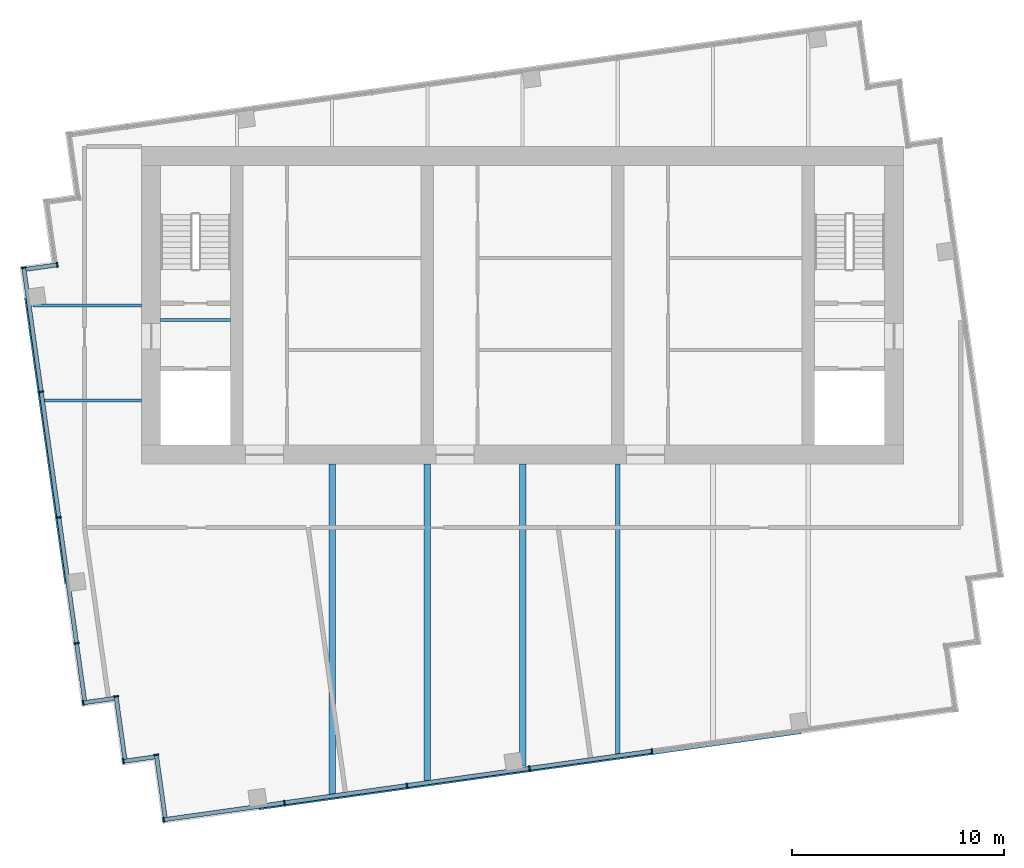
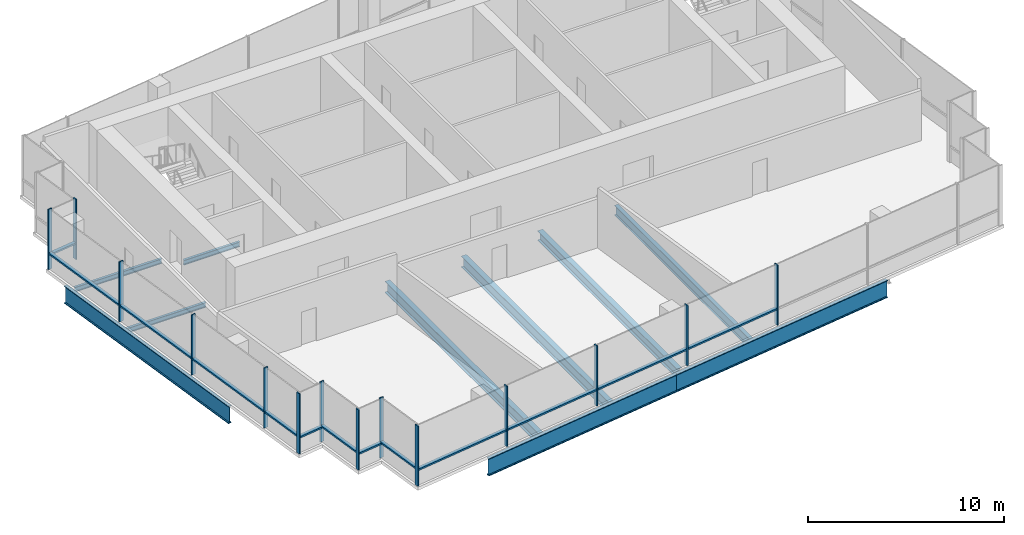
# One storey, part 2 of 9: 27 members, 10 beams, 7 elements without a shape of their own.
"""IFC4 building model written with IfcOpenShell, lengths in metres."""

import ifcopenshell
import ifcopenshell.guid

model = None  # the IFC model being written
_history = None  # IfcOwnerHistory: only IFC2X3 demands one
_inside = {}  # id of a spatial element -> (the spatial element, [elements in it])
_under = {}  # id of a project, library or spatial element -> (it, [spatial elements below it])
_declared = {}  # id of a project -> (the project, [libraries it declares])
_typed = {}  # id of a type object -> (the type object, [elements of that type])
_made_of = {}  # id of a material, layer set ... -> (it, [elements and type objects made of it])


def new_model(schema):
    """Start an empty IFC model of exactly this schema.

    Asked for "IFC4X3", IfcOpenShell would pick the latest addendum, in which some entities
    have other attributes; the version numbers below select the first issue.
    IFC2X3 requires an IfcOwnerHistory on every rooted entity: one is made here for all.
    """
    global model, _history
    if schema == "IFC4X3":
        model = ifcopenshell.file(schema_version=(4, 3, 0, 0))
    else:
        model = ifcopenshell.file(schema=schema)
    _inside.clear()
    _under.clear()
    _declared.clear()
    _typed.clear()
    _made_of.clear()
    _history = None
    if model.schema == "IFC2X3":
        org = make("IfcOrganization", Name="unknown")
        user = make(
            "IfcPersonAndOrganization",
            ThePerson=make("IfcPerson", FamilyName="unknown"),
            TheOrganization=org,
        )
        app = make(
            "IfcApplication",
            ApplicationDeveloper=org,
            Version="unknown",
            ApplicationFullName="unknown",
            ApplicationIdentifier="unknown",
        )
        _history = make(
            "IfcOwnerHistory",
            OwningUser=user,
            OwningApplication=app,
            ChangeAction="ADDED",
            CreationDate=0,
        )
    return model


def make(cls, **values):
    """One entity of the class cls with the attributes given. An attribute that is None is left unset."""
    return model.create_entity(
        cls, **{name: value for name, value in values.items() if value is not None}
    )


def rooted(cls, **values):
    """An entity with a GlobalId (a new one), such as an element, a storey or a relation."""
    return make(cls, GlobalId=ifcopenshell.guid.new(), OwnerHistory=_history, **values)


def si_unit(unit_type, name, prefix=None):
    """IfcSIUnit, for example si_unit("LENGTHUNIT", "METRE", prefix="MILLI")."""
    return make("IfcSIUnit", UnitType=unit_type, Prefix=prefix, Name=name)


def assignment(units):
    """IfcUnitAssignment: the units of a project."""
    return None if units is None else make("IfcUnitAssignment", Units=units)


def point(xyz):
    """IfcCartesianPoint."""
    return None if xyz is None else make("IfcCartesianPoint", Coordinates=xyz)


def direction(xyz):
    """IfcDirection."""
    return None if xyz is None else make("IfcDirection", DirectionRatios=xyz)


def frame(location, z_axis=None, x_axis=None):
    """IfcAxis2Placement3D, a coordinate frame: its origin and axes. An axis left out is left unset."""
    return make(
        "IfcAxis2Placement3D",
        Location=point(location),
        Axis=direction(z_axis),
        RefDirection=direction(x_axis),
    )


def frame_2d(location, x_axis=None):
    """IfcAxis2Placement2D, a coordinate frame in the plane: its origin and x axis."""
    return make(
        "IfcAxis2Placement2D", Location=point(location), RefDirection=direction(x_axis)
    )


def origin():
    """The frame at (0, 0, 0) with its axes left unset."""
    return frame((0.0, 0.0, 0.0))


def origin_2d():
    """The frame at (0, 0) in the plane with its x axis left unset."""
    return frame_2d((0.0, 0.0))


def place(relative_to, where):
    """IfcLocalPlacement: puts the frame where relative to a parent placement (None: the world)."""
    return make(
        "IfcLocalPlacement", PlacementRelTo=relative_to, RelativePlacement=where
    )


def context(
    kind, dimensions, precision=None, world=None, true_north=None, identifier=None
):
    """IfcGeometricRepresentationContext, for example the 3D "Model" context."""
    return make(
        "IfcGeometricRepresentationContext",
        ContextIdentifier=identifier,
        ContextType=kind,
        CoordinateSpaceDimension=dimensions,
        Precision=precision,
        WorldCoordinateSystem=world,
        TrueNorth=true_north,
    )


def subcontext(parent, identifier, kind, view, scale=None):
    """IfcGeometricRepresentationSubContext, for example "Body" below "Model"."""
    return make(
        "IfcGeometricRepresentationSubContext",
        ContextIdentifier=identifier,
        ContextType=kind,
        ParentContext=parent,
        TargetScale=scale,
        TargetView=view,
    )


def project(units=None, contexts=None):
    """IfcProject with its units and contexts."""
    return rooted(
        "IfcProject",
        Name="project",
        RepresentationContexts=contexts,
        UnitsInContext=assignment(units),
    )


def spatial(cls, under=None, at=None, **own):
    """A site, building, storey or space (cls), placed at a placement, below another one or the project."""
    s = rooted(cls, ObjectPlacement=at, **own)
    if under is not None:
        _under.setdefault(under.id(), (under, []))[1].append(s)
    return s


def profile(cls, at=None, kind="AREA", **sizes):
    """A parametric profile (cls). Its sizes go by their IFC names, for example OverallWidth=200.0."""
    return make(cls, ProfileType=kind, Position=at, **sizes)


def rectangle(**sizes):
    """IfcRectangleProfileDef."""
    return profile("IfcRectangleProfileDef", **sizes)


def i_section(**sizes):
    """IfcIShapeProfileDef."""
    return profile("IfcIShapeProfileDef", **sizes)


def extrude(swept, where, along, depth):
    """IfcExtrudedAreaSolid: the profile swept, set in the frame where, extruded along a direction by depth."""
    return make(
        "IfcExtrudedAreaSolid",
        SweptArea=swept,
        Position=where,
        ExtrudedDirection=direction(along),
        Depth=depth,
    )


def shape(context_of_items, identifier, shape_type, items):
    """IfcShapeRepresentation: the items that make up one representation, for example the "Body"."""
    return make(
        "IfcShapeRepresentation",
        ContextOfItems=context_of_items,
        RepresentationIdentifier=identifier,
        RepresentationType=shape_type,
        Items=items,
    )


def material(Name=None, Category=None):
    """IfcMaterial."""
    return make("IfcMaterial", Name=Name, Category=Category)


def layer(
    of_material, thickness, ventilated=None, Name=None, Category=None, Priority=None
):
    """IfcMaterialLayer: one layer of a wall or slab, of a material (None: an air gap)."""
    return make(
        "IfcMaterialLayer",
        Material=of_material,
        LayerThickness=thickness,
        IsVentilated=ventilated,
        Name=Name,
        Category=Category,
        Priority=Priority,
    )


def layer_set(layers, Name=None):
    """IfcMaterialLayerSet."""
    return make("IfcMaterialLayerSet", MaterialLayers=layers, LayerSetName=Name)


def material_profile(
    of_material, cross_section, Name=None, Category=None, Priority=None
):
    """IfcMaterialProfile: a cross section and its material."""
    return make(
        "IfcMaterialProfile",
        Name=Name,
        Material=of_material,
        Profile=cross_section,
        Priority=Priority,
        Category=Category,
    )


def profile_set(profiles, Name=None, composite=None):
    """IfcMaterialProfileSet."""
    return make(
        "IfcMaterialProfileSet",
        Name=Name,
        MaterialProfiles=profiles,
        CompositeProfile=composite,
    )


def made_of(thing, what):
    """Note that an element or type object is made of a material, layer set ...; save() writes the relation."""
    if what is not None:
        _made_of.setdefault(what.id(), (what, []))[1].append(thing)
    return thing


def type_object(cls, material=None, **own):
    """A type object (cls), such as IfcWallType, which elements share."""
    return made_of(rooted(cls, **own), material)


def element(
    cls,
    number,
    at=None,
    inside=None,
    cuts=None,
    type_object=None,
    material=None,
    context=None,
    identifier="Body",
    shape_type=None,
    held_by="IfcProductDefinitionShape",
    body=None,
    shapes=None,
    **own,
):
    """One element of the class cls, such as IfcWall. Its Tag is "e" and its number.

    at: its placement. inside: the storey or other place that contains it. cuts: it is an
    opening in that element (IfcRelVoidsElement). A single representation is given by context,
    identifier, shape_type and body (its items); several are given by shapes. held_by: the class
    of the entity that holds the representations. save() writes the other relations.
    """
    e = rooted(cls, Tag="e%d" % number, ObjectPlacement=at, **own)
    if body is not None:
        shapes = [shape(context, identifier, shape_type, body)]
    if shapes is not None:
        e.Representation = make(held_by, Representations=shapes)
    if inside is not None:
        _inside.setdefault(inside.id(), (inside, []))[1].append(e)
    if cuts is not None:
        rooted(
            "IfcRelVoidsElement", RelatingBuildingElement=cuts, RelatedOpeningElement=e
        )
    if type_object is not None:
        _typed.setdefault(type_object.id(), (type_object, []))[1].append(e)
    return made_of(e, material)


def aggregate(whole, parts):
    """IfcRelAggregates: a whole, such as a stair, and the parts it consists of."""
    return rooted("IfcRelAggregates", RelatingObject=whole, RelatedObjects=parts)


def save(model, path):
    """Write the relations noted so far, then the file.

    IfcRelAggregates (storeys below a building ...), IfcRelContainedInSpatialStructure (elements
    in a storey), IfcRelDefinesByType, IfcRelAssociatesMaterial and IfcRelDeclares: one each for
    every whole, place, type object, material and project.
    """
    for whole, parts in _under.values():
        aggregate(whole, parts)
    for where, things in _inside.values():
        rooted(
            "IfcRelContainedInSpatialStructure",
            RelatedElements=things,
            RelatingStructure=where,
        )
    for kind, things in _typed.values():
        rooted("IfcRelDefinesByType", RelatedObjects=things, RelatingType=kind)
    for what, things in _made_of.values():
        rooted("IfcRelAssociatesMaterial", RelatedObjects=things, RelatingMaterial=what)
    for by, libraries in _declared.values():
        rooted("IfcRelDeclares", RelatingContext=by, RelatedDefinitions=libraries)
    model.write(path)


model = new_model("IFC4")

# Units and contexts
model_context = context("Model", 3, precision=1e-05, world=origin(), true_north=direction((0.0, 1.0)))
body_context = subcontext(model_context, "Body", "Model", "MODEL_VIEW")
ifc_project = project(units=[si_unit("LENGTHUNIT", "METRE"), si_unit("AREAUNIT", "SQUARE_METRE"), si_unit("VOLUMEUNIT", "CUBIC_METRE"), si_unit("PLANEANGLEUNIT", "RADIAN"), si_unit("MASSUNIT", "GRAM", prefix="KILO")], contexts=[model_context])

# Site, building, storey
site_placement = place(None, origin())
site = spatial("IfcSite", under=ifc_project, at=site_placement, CompositionType="ELEMENT")
building_placement = place(site_placement, origin())
building = spatial("IfcBuilding", under=site, at=building_placement, Name="Rattan Terrace Tower", CompositionType="ELEMENT")
storey_placement = place(building_placement, frame((0.0, 0.0, 312.300048828125)))
storey = spatial("IfcBuildingStorey", under=building, at=storey_placement, Name="C06", CompositionType="ELEMENT", Elevation=312.300048828125)

# Beams
ifc_material_1 = material(Name="Steel S460", Category="steel")
ifc_material_profile_1 = material_profile(ifc_material_1, i_section(OverallWidth=0.179931640625, OverallDepth=1.10009765625, WebThickness=0.01611328125, FlangeThickness=0.050048828125, at=origin_2d()), Name="PG 1100x180-16-50")
ifc_profile_set_1 = profile_set([ifc_material_profile_1], Name="Steel S460")
beam_type_1 = type_object("IfcBeamType", Name="Frame edge girder PG 1100x180-16-50", PredefinedType="SPANDREL", material=ifc_profile_set_1)
beam_1_placement = place(storey_placement, frame((-12.45703125, -23.7509765625, -0.75), z_axis=(0.990268332234, 0.139171226104, 0.0), x_axis=(-0.139171226104, 0.990268332234, 0.0)))
element("IfcBeam", 1, at=beam_1_placement, inside=storey, type_object=beam_type_1, Name="gdr-C06-001", PredefinedType="SPANDREL", context=body_context, shape_type="SweptSolid", body=[
    extrude(i_section(OverallWidth=0.179931640625, OverallDepth=1.10009765625, WebThickness=0.01611328125, FlangeThickness=0.050048828125, at=origin_2d()), origin(), (0.0, 0.0, 1.0), 12.21484375),
])
beam_2_placement = place(storey_placement, frame((-0.361083984375, -22.051025390625, -0.75), z_axis=(0.990271390556, 0.139149462974, 0.0), x_axis=(-0.139149462974, 0.990271390556, 0.0)))
element("IfcBeam", 2, at=beam_2_placement, inside=storey, type_object=beam_type_1, Name="gdr-C06-002", PredefinedType="SPANDREL", context=body_context, shape_type="SweptSolid", body=[
    extrude(i_section(OverallWidth=0.179931640625, OverallDepth=1.10009765625, WebThickness=0.01611328125, FlangeThickness=0.050048828125, at=origin_2d()), origin(), (0.0, 0.0, 1.0), 13.632568359375),
])
beam_3_placement = place(storey_placement, frame((-23.448974609375, 0.361083984375, -0.75), z_axis=(0.139219709116, -0.990261517274, 0.0), x_axis=(0.990261517274, 0.139219709116, 0.0)))
element("IfcBeam", 3, at=beam_3_placement, inside=storey, type_object=beam_type_1, Name="gdr-C06-003", PredefinedType="SPANDREL", context=body_context, shape_type="SweptSolid", body=[
    extrude(i_section(OverallWidth=0.179931640625, OverallDepth=1.10009765625, WebThickness=0.01611328125, FlangeThickness=0.050048828125, at=origin_2d()), origin(), (0.0, 0.0, 1.0), 13.6328125),
])
ifc_material_2 = material(Name="Steel S355", Category="steel")
ifc_material_profile_2 = material_profile(ifc_material_2, i_section(OverallWidth=0.300048828125, OverallDepth=0.60009765625, WebThickness=0.015380859375, FlangeThickness=0.030029296875, FilletRadius=0.027099609375, at=origin_2d()), Name="HE 600 B")
ifc_profile_set_2 = profile_set([ifc_material_profile_2], Name="Steel S355")
beam_type_2 = type_object("IfcBeamType", Name="Frame floor beam HE 600 B", PredefinedType="JOIST", material=ifc_profile_set_2)
beam_4_placement = place(storey_placement, frame((0.0, -21.743896484375, -0.5), z_axis=(0.0, 1.0, 0.0), x_axis=(-1.0, 0.0, 0.0)))
element("IfcBeam", 4, at=beam_4_placement, inside=storey, type_object=beam_type_2, Name="bm-C06-005", PredefinedType="JOIST", context=body_context, shape_type="SweptSolid", body=[
    extrude(i_section(OverallWidth=0.300048828125, OverallDepth=0.60009765625, WebThickness=0.015380859375, FlangeThickness=0.030029296875, FilletRadius=0.027099609375, at=origin_2d()), origin(), (0.0, 0.0, 1.0), 14.243896484375),
])
ifc_material_3 = material(Name="Steel S355", Category="steel")
ifc_material_profile_3 = material_profile(ifc_material_3, i_section(OverallWidth=0.300048828125, OverallDepth=0.699951171875, WebThickness=0.01708984375, FlangeThickness=0.031982421875, FilletRadius=0.027099609375, at=origin_2d()), Name="HE 700 B")
ifc_profile_set_3 = profile_set([ifc_material_profile_3], Name="Steel S355")
beam_type_3 = type_object("IfcBeamType", Name="Frame floor beam HE 700 B", PredefinedType="JOIST", material=ifc_profile_set_3)
beam_5_placement = place(storey_placement, frame((-9.0, -23.174072265625, -0.550048828125), z_axis=(0.0, 1.0, 0.0), x_axis=(-1.0, 0.0, 0.0)))
element("IfcBeam", 5, at=beam_5_placement, inside=storey, type_object=beam_type_3, Name="bm-C06-003", PredefinedType="JOIST", context=body_context, shape_type="SweptSolid", body=[
    extrude(i_section(OverallWidth=0.300048828125, OverallDepth=0.699951171875, WebThickness=0.01708984375, FlangeThickness=0.031982421875, FilletRadius=0.027099609375, at=origin_2d()), origin(), (0.0, 0.0, 1.0), 15.674072265625),
])
beam_6_placement = place(storey_placement, frame((-4.5, -22.5419921875, -0.550048828125), z_axis=(0.0, 1.0, 0.0), x_axis=(-1.0, 0.0, 0.0)))
element("IfcBeam", 6, at=beam_6_placement, inside=storey, type_object=beam_type_3, Name="bm-C06-004", PredefinedType="JOIST", context=body_context, shape_type="SweptSolid", body=[
    extrude(i_section(OverallWidth=0.300048828125, OverallDepth=0.699951171875, WebThickness=0.01708984375, FlangeThickness=0.031982421875, FilletRadius=0.027099609375, at=origin_2d()), origin(), (0.0, 0.0, 1.0), 15.0419921875),
])
ifc_material_4 = material(Name="Steel S355", Category="steel")
ifc_material_profile_4 = material_profile(ifc_material_4, i_section(OverallWidth=0.14990234375, OverallDepth=0.300048828125, WebThickness=0.007080078125, FlangeThickness=0.0107421875, FilletRadius=0.014892578125, at=origin_2d()), Name="IPE 300")
ifc_profile_set_4 = profile_set([ifc_material_profile_4], Name="Steel S355")
beam_type_4 = type_object("IfcBeamType", Name="Frame floor beam IPE 300", PredefinedType="JOIST", material=ifc_profile_set_4)
beam_7_placement = place(storey_placement, frame((-17.10009765625, -0.695068359375, -0.35009765625), z_axis=(1.0, 0.0, 0.0), x_axis=(0.0, 1.0, 0.0)))
element("IfcBeam", 7, at=beam_7_placement, inside=storey, type_object=beam_type_4, Name="bm-C06-001", PredefinedType="JOIST", context=body_context, shape_type="SweptSolid", body=[
    extrude(i_section(OverallWidth=0.14990234375, OverallDepth=0.300048828125, WebThickness=0.007080078125, FlangeThickness=0.0107421875, FilletRadius=0.014892578125, at=origin_2d()), origin(), (0.0, 0.0, 1.0), 3.300048828125),
])
beam_8_placement = place(storey_placement, frame((-22.675048828125, -4.5, -0.35009765625), z_axis=(1.0, 0.0, 0.0), x_axis=(0.0, 1.0, 0.0)))
element("IfcBeam", 8, at=beam_8_placement, inside=storey, type_object=beam_type_4, Name="bm-C06-009", PredefinedType="JOIST", context=body_context, shape_type="SweptSolid", body=[
    extrude(i_section(OverallWidth=0.14990234375, OverallDepth=0.300048828125, WebThickness=0.007080078125, FlangeThickness=0.0107421875, FilletRadius=0.014892578125, at=origin_2d()), origin(), (0.0, 0.0, 1.0), 4.675048828125),
])
beam_9_placement = place(storey_placement, frame((-23.14111328125, 0.0, -0.35009765625), z_axis=(1.0, 0.0, 0.0), x_axis=(0.0, 1.0, 0.0)))
element("IfcBeam", 9, at=beam_9_placement, inside=storey, type_object=beam_type_4, Name="bm-C06-010", PredefinedType="JOIST", context=body_context, shape_type="SweptSolid", body=[
    extrude(i_section(OverallWidth=0.14990234375, OverallDepth=0.300048828125, WebThickness=0.007080078125, FlangeThickness=0.0107421875, FilletRadius=0.014892578125, at=origin_2d()), origin(), (0.0, 0.0, 1.0), 5.14111328125),
])
ifc_material_5 = material(Name="Steel S355", Category="steel")
ifc_material_profile_5 = material_profile(ifc_material_5, i_section(OverallWidth=0.22412109375, OverallDepth=0.610107421875, WebThickness=0.014892578125, FlangeThickness=0.02392578125, FilletRadius=0.02392578125, at=origin_2d()), Name="IPE O 600")
ifc_profile_set_5 = profile_set([ifc_material_profile_5], Name="Steel S355")
beam_type_5 = type_object("IfcBeamType", Name="Frame floor beam IPE O 600", PredefinedType="JOIST", material=ifc_profile_set_5)
beam_10_placement = place(storey_placement, frame((4.5, -21.277099609375, -0.505126953125), z_axis=(0.0, 1.0, 0.0), x_axis=(-1.0, 0.0, 0.0)))
element("IfcBeam", 10, at=beam_10_placement, inside=storey, type_object=beam_type_5, Name="bm-C06-006", PredefinedType="JOIST", context=body_context, shape_type="SweptSolid", body=[
    extrude(i_section(OverallWidth=0.22412109375, OverallDepth=0.610107421875, WebThickness=0.014892578125, FlangeThickness=0.02392578125, FilletRadius=0.02392578125, at=origin_2d()), origin(), (0.0, 0.0, 1.0), 13.777099609375),
])

# Curtain wall, members
ifc_material_6 = material(Name="Aluminium and laminated glass", Category="aluminium")
ifc_layer = layer(ifc_material_6, 0.239990234375)
ifc_layer_set = layer_set([ifc_layer], Name="Lantern Stick Curtain Wall")
curtain_wall_type = type_object("IfcCurtainWallType", Name="Lantern Stick Curtain Wall", PredefinedType="NOTDEFINED", material=ifc_layer_set)
curtain_wall_1_placement = place(storey_placement, origin())
curtain_wall_1 = element("IfcCurtainWall", 11, at=curtain_wall_1_placement, inside=storey, type_object=curtain_wall_type, Name="Lantern curtain wall C06-1", PredefinedType="NOTDEFINED")
ifc_material_7 = material(Name="Aluminium", Category="aluminium")
ifc_material_profile_6 = material_profile(ifc_material_7, rectangle(XDim=0.070068359375, YDim=0.239990234375, at=origin_2d()), Name="Aluminium 70x240")
ifc_profile_set_6 = profile_set([ifc_material_profile_6], Name="Aluminium")
member_type_1 = type_object("IfcMemberType", Name="Lantern CW Mullion 70x240", PredefinedType="MULLION", material=ifc_profile_set_6)
member_1_placement = place(storey_placement, frame((-23.56689453125, 1.776611328125, 0.0), z_axis=(0.0, 0.0, 1.0), x_axis=(0.139187707455, -0.990266015823, 0.0)))
member_1 = element("IfcMember", 12, at=member_1_placement, type_object=member_type_1, Name="Mullion cwl-C06-001.1", PredefinedType="MULLION", context=body_context, shape_type="SweptSolid", body=[
    extrude(rectangle(XDim=0.070068359375, YDim=0.239990234375, at=origin_2d()), origin(), (0.0, 0.0, 1.0), 3.75),
])
member_2_placement = place(storey_placement, frame((-22.74365234375, -4.080810546875, 0.0), z_axis=(0.0, 0.0, 1.0), x_axis=(0.139187707455, -0.990266015823, 0.0)))
member_2 = element("IfcMember", 13, at=member_2_placement, type_object=member_type_1, Name="Mullion cwl-C06-001.2", PredefinedType="MULLION", context=body_context, shape_type="SweptSolid", body=[
    extrude(rectangle(XDim=0.070068359375, YDim=0.239990234375, at=origin_2d()), origin(), (0.0, 0.0, 1.0), 3.75),
])
member_3_placement = place(storey_placement, frame((-21.908447265625, -10.0224609375, 0.0), z_axis=(0.0, 0.0, 1.0), x_axis=(0.139187707455, -0.990266015823, 0.0)))
member_3 = element("IfcMember", 14, at=member_3_placement, type_object=member_type_1, Name="Mullion cwl-C06-001.3", PredefinedType="MULLION", context=body_context, shape_type="SweptSolid", body=[
    extrude(rectangle(XDim=0.070068359375, YDim=0.239990234375, at=origin_2d()), origin(), (0.0, 0.0, 1.0), 3.75),
])
member_4_placement = place(storey_placement, frame((-21.0732421875, -15.964111328125, 0.0), z_axis=(0.0, 0.0, 1.0), x_axis=(0.139187707455, -0.990266015823, 0.0)))
member_4 = element("IfcMember", 15, at=member_4_placement, type_object=member_type_1, Name="Mullion cwl-C06-001.4", PredefinedType="MULLION", context=body_context, shape_type="SweptSolid", body=[
    extrude(rectangle(XDim=0.070068359375, YDim=0.239990234375, at=origin_2d()), origin(), (0.0, 0.0, 1.0), 3.75),
])

# Curtain wall, member
curtain_wall_2_placement = place(storey_placement, origin())
curtain_wall_2 = element("IfcCurtainWall", 16, at=curtain_wall_2_placement, inside=storey, type_object=curtain_wall_type, Name="Lantern curtain wall C06-2", PredefinedType="NOTDEFINED")
member_5_placement = place(storey_placement, frame((-20.763427734375, -18.77880859375, 0.0), z_axis=(0.0, 0.0, 1.0), x_axis=(0.990227803001, 0.139459306479, 0.0)))
member_5 = element("IfcMember", 17, at=member_5_placement, type_object=member_type_1, Name="Mullion cwl-C06-002.1", PredefinedType="MULLION", context=body_context, shape_type="SweptSolid", body=[
    extrude(rectangle(XDim=0.070068359375, YDim=0.239990234375, at=origin_2d()), origin(), (0.0, 0.0, 1.0), 3.75),
])

curtain_wall_3_placement = place(storey_placement, origin())
curtain_wall_3 = element("IfcCurtainWall", 18, at=curtain_wall_3_placement, inside=storey, type_object=curtain_wall_type, Name="Lantern curtain wall C06-3", PredefinedType="NOTDEFINED")
member_6_placement = place(storey_placement, frame((-19.207275390625, -18.473876953125, 0.0), z_axis=(0.0, 0.0, 1.0), x_axis=(0.139555918709, -0.990214191755, 0.0)))
member_6 = element("IfcMember", 19, at=member_6_placement, type_object=member_type_1, Name="Mullion cwl-C06-003.1", PredefinedType="MULLION", context=body_context, shape_type="SweptSolid", body=[
    extrude(rectangle(XDim=0.070068359375, YDim=0.239990234375, at=origin_2d()), origin(), (0.0, 0.0, 1.0), 3.75),
])

curtain_wall_4_placement = place(storey_placement, origin())
curtain_wall_4 = element("IfcCurtainWall", 20, at=curtain_wall_4_placement, inside=storey, type_object=curtain_wall_type, Name="Lantern curtain wall C06-4", PredefinedType="NOTDEFINED")
member_7_placement = place(storey_placement, frame((-18.860595703125, -21.54296875, 0.0), z_axis=(0.0, 0.0, 1.0), x_axis=(0.990319742912, 0.13880492354, 0.0)))
member_7 = element("IfcMember", 21, at=member_7_placement, type_object=member_type_1, Name="Mullion cwl-C06-004.1", PredefinedType="MULLION", context=body_context, shape_type="SweptSolid", body=[
    extrude(rectangle(XDim=0.070068359375, YDim=0.239990234375, at=origin_2d()), origin(), (0.0, 0.0, 1.0), 3.75),
])

curtain_wall_5_placement = place(storey_placement, origin())
curtain_wall_5 = element("IfcCurtainWall", 22, at=curtain_wall_5_placement, inside=storey, type_object=curtain_wall_type, Name="Lantern curtain wall C06-5", PredefinedType="NOTDEFINED")
member_8_placement = place(storey_placement, frame((-17.30419921875, -21.239013671875, 0.0), z_axis=(0.0, 0.0, 1.0), x_axis=(0.139413247769, -0.990234288614, 0.0)))
member_8 = element("IfcMember", 23, at=member_8_placement, type_object=member_type_1, Name="Mullion cwl-C06-005.1", PredefinedType="MULLION", context=body_context, shape_type="SweptSolid", body=[
    extrude(rectangle(XDim=0.070068359375, YDim=0.239990234375, at=origin_2d()), origin(), (0.0, 0.0, 1.0), 3.75),
])

# Curtain wall, members
curtain_wall_6_placement = place(storey_placement, origin())
curtain_wall_6 = element("IfcCurtainWall", 24, at=curtain_wall_6_placement, inside=storey, type_object=curtain_wall_type, Name="Lantern curtain wall C06-6", PredefinedType="NOTDEFINED")
member_9_placement = place(storey_placement, frame((-16.95849609375, -24.3037109375, 0.0), z_axis=(0.0, 0.0, 1.0), x_axis=(0.990266952226, 0.13918104515, 0.0)))
member_9 = element("IfcMember", 25, at=member_9_placement, type_object=member_type_1, Name="Mullion cwl-C06-006.1", PredefinedType="MULLION", context=body_context, shape_type="SweptSolid", body=[
    extrude(rectangle(XDim=0.070068359375, YDim=0.239990234375, at=origin_2d()), origin(), (0.0, 0.0, 1.0), 3.75),
])
member_10_placement = place(storey_placement, frame((-11.253662109375, -23.501953125, 0.0), z_axis=(0.0, 0.0, 1.0), x_axis=(0.990266952226, 0.13918104515, 0.0)))
member_10 = element("IfcMember", 26, at=member_10_placement, type_object=member_type_1, Name="Mullion cwl-C06-006.2", PredefinedType="MULLION", context=body_context, shape_type="SweptSolid", body=[
    extrude(rectangle(XDim=0.070068359375, YDim=0.239990234375, at=origin_2d()), origin(), (0.0, 0.0, 1.0), 3.75),
])
member_11_placement = place(storey_placement, frame((-5.464599609375, -22.6884765625, 0.0), z_axis=(0.0, 0.0, 1.0), x_axis=(0.990266952226, 0.13918104515, 0.0)))
member_11 = element("IfcMember", 27, at=member_11_placement, type_object=member_type_1, Name="Mullion cwl-C06-006.3", PredefinedType="MULLION", context=body_context, shape_type="SweptSolid", body=[
    extrude(rectangle(XDim=0.070068359375, YDim=0.239990234375, at=origin_2d()), origin(), (0.0, 0.0, 1.0), 3.75),
])
member_12_placement = place(storey_placement, frame((0.32470703125, -21.874755859375, 0.0), z_axis=(0.0, 0.0, 1.0), x_axis=(0.990266952226, 0.13918104515, 0.0)))
member_12 = element("IfcMember", 28, at=member_12_placement, type_object=member_type_1, Name="Mullion cwl-C06-006.4", PredefinedType="MULLION", context=body_context, shape_type="SweptSolid", body=[
    extrude(rectangle(XDim=0.070068359375, YDim=0.239990234375, at=origin_2d()), origin(), (0.0, 0.0, 1.0), 3.75),
])
member_13_placement = place(storey_placement, frame((6.11376953125, -21.06103515625, 0.0), z_axis=(0.0, 0.0, 1.0), x_axis=(0.990266952226, 0.13918104515, 0.0)))
member_13 = element("IfcMember", 29, at=member_13_placement, type_object=member_type_1, Name="Mullion cwl-C06-006.5", PredefinedType="MULLION", context=body_context, shape_type="SweptSolid", body=[
    extrude(rectangle(XDim=0.070068359375, YDim=0.239990234375, at=origin_2d()), origin(), (0.0, 0.0, 1.0), 3.75),
])

# Curtain wall, member
curtain_wall_7_placement = place(storey_placement, origin())
curtain_wall_7 = element("IfcCurtainWall", 30, at=curtain_wall_7_placement, inside=storey, type_object=curtain_wall_type, Name="Lantern curtain wall C06-20", PredefinedType="NOTDEFINED")
member_14_placement = place(storey_placement, frame((-21.98486328125, 1.9130859375, 0.0), z_axis=(0.0, 0.0, 1.0), x_axis=(-0.99025370695, -0.139275252184, 0.0)))
member_14 = element("IfcMember", 31, at=member_14_placement, type_object=member_type_1, Name="Mullion cwl-C06-020.1", PredefinedType="MULLION", context=body_context, shape_type="SweptSolid", body=[
    extrude(rectangle(XDim=0.070068359375, YDim=0.239990234375, at=origin_2d()), origin(), (0.0, 0.0, 1.0), 3.75),
])

# Member
ifc_material_8 = material(Name="Aluminium", Category="aluminium")
ifc_material_profile_7 = material_profile(ifc_material_8, rectangle(XDim=0.199951171875, YDim=0.10009765625, at=origin_2d()), Name="Aluminium 200x100")
ifc_profile_set_7 = profile_set([ifc_material_profile_7], Name="Aluminium")
member_type_2 = type_object("IfcMemberType", Name="Lantern CW Transom 200x100", PredefinedType="USERDEFINED", material=ifc_profile_set_7)
member_15_placement = place(storey_placement, frame((-23.56201171875, 1.741943359375, 1.0), z_axis=(0.139216432116, -0.990261977978, 0.0), x_axis=(0.990261977978, 0.139216432116, 0.0)))
member_15 = element("IfcMember", 32, at=member_15_placement, type_object=member_type_2, Name="Transom cwl-C06-001.1", ObjectType="TRANSOM", PredefinedType="USERDEFINED", context=body_context, shape_type="SweptSolid", body=[
    extrude(rectangle(XDim=0.199951171875, YDim=0.10009765625, at=origin_2d()), origin(), (0.0, 0.0, 1.0), 5.844970703125),
])

member_16_placement = place(storey_placement, frame((-22.73876953125, -4.115478515625, 1.0), z_axis=(0.139196165956, -0.990264826894, 0.0), x_axis=(0.990264826894, 0.139196165956, 0.0)))
member_16 = element("IfcMember", 33, at=member_16_placement, type_object=member_type_2, Name="Transom cwl-C06-001.2", ObjectType="TRANSOM", PredefinedType="USERDEFINED", context=body_context, shape_type="SweptSolid", body=[
    extrude(rectangle(XDim=0.199951171875, YDim=0.10009765625, at=origin_2d()), origin(), (0.0, 0.0, 1.0), 5.929931640625),
])

member_17_placement = place(storey_placement, frame((-21.903564453125, -10.05712890625, 1.0), z_axis=(0.139196165956, -0.990264826894, 0.0), x_axis=(0.990264826894, 0.139196165956, 0.0)))
member_17 = element("IfcMember", 34, at=member_17_placement, type_object=member_type_2, Name="Transom cwl-C06-001.3", ObjectType="TRANSOM", PredefinedType="USERDEFINED", context=body_context, shape_type="SweptSolid", body=[
    extrude(rectangle(XDim=0.199951171875, YDim=0.10009765625, at=origin_2d()), origin(), (0.0, 0.0, 1.0), 5.929931640625),
])

member_18_placement = place(storey_placement, frame((-21.068359375, -15.998779296875, 1.0), z_axis=(0.139159755343, -0.990269944254, 0.0), x_axis=(0.990269944254, 0.139159755343, 0.0)))
member_18 = element("IfcMember", 35, at=member_18_placement, type_object=member_type_2, Name="Transom cwl-C06-001.4", ObjectType="TRANSOM", PredefinedType="USERDEFINED", context=body_context, shape_type="SweptSolid", body=[
    extrude(rectangle(XDim=0.199951171875, YDim=0.10009765625, at=origin_2d()), origin(), (0.0, 0.0, 1.0), 2.675537109375),
])

aggregate(curtain_wall_1, [member_1, member_2, member_3, member_4, member_15, member_16, member_17, member_18])

member_19_placement = place(storey_placement, frame((-20.728759765625, -18.77392578125, 1.0), z_axis=(0.990227834808, 0.139459080636, 0.0), x_axis=(-0.139459080636, 0.990227834808, 0.0)))
member_19 = element("IfcMember", 36, at=member_19_placement, type_object=member_type_2, Name="Transom cwl-C06-002.1", ObjectType="TRANSOM", PredefinedType="USERDEFINED", context=body_context, shape_type="SweptSolid", body=[
    extrude(rectangle(XDim=0.199951171875, YDim=0.10009765625, at=origin_2d()), origin(), (0.0, 0.0, 1.0), 1.428466796875),
])

aggregate(curtain_wall_2, [member_5, member_19])

member_20_placement = place(storey_placement, frame((-19.202392578125, -18.508544921875, 1.0), z_axis=(0.139532909028, -0.990217434354, 0.0), x_axis=(0.990217434354, 0.139532909028, 0.0)))
member_20 = element("IfcMember", 37, at=member_20_placement, type_object=member_type_2, Name="Transom cwl-C06-003.1", ObjectType="TRANSOM", PredefinedType="USERDEFINED", context=body_context, shape_type="SweptSolid", body=[
    extrude(rectangle(XDim=0.199951171875, YDim=0.10009765625, at=origin_2d()), origin(), (0.0, 0.0, 1.0), 2.9326171875),
])

aggregate(curtain_wall_3, [member_6, member_20])

member_21_placement = place(storey_placement, frame((-18.825927734375, -21.5380859375, 1.0), z_axis=(0.990301815941, 0.13893276555, 0.0), x_axis=(-0.13893276555, 0.990301815941, 0.0)))
member_21 = element("IfcMember", 38, at=member_21_placement, type_object=member_type_2, Name="Transom cwl-C06-004.1", ObjectType="TRANSOM", PredefinedType="USERDEFINED", context=body_context, shape_type="SweptSolid", body=[
    extrude(rectangle(XDim=0.199951171875, YDim=0.10009765625, at=origin_2d()), origin(), (0.0, 0.0, 1.0), 1.4287109375),
])

aggregate(curtain_wall_4, [member_7, member_21])

member_22_placement = place(storey_placement, frame((-17.29931640625, -21.2734375, 1.0), z_axis=(0.139401737802, -0.990235909013, 0.0), x_axis=(0.990235909013, 0.139401737802, 0.0)))
member_22 = element("IfcMember", 39, at=member_22_placement, type_object=member_type_2, Name="Transom cwl-C06-005.1", ObjectType="TRANSOM", PredefinedType="USERDEFINED", context=body_context, shape_type="SweptSolid", body=[
    extrude(rectangle(XDim=0.199951171875, YDim=0.10009765625, at=origin_2d()), origin(), (0.0, 0.0, 1.0), 2.92822265625),
])

aggregate(curtain_wall_5, [member_8, member_22])

member_23_placement = place(storey_placement, frame((-16.923828125, -24.299072265625, 1.0), z_axis=(0.990262771001, 0.139210791141, 0.0), x_axis=(-0.139210791141, 0.990262771001, 0.0)))
member_23 = element("IfcMember", 40, at=member_23_placement, type_object=member_type_2, Name="Transom cwl-C06-006.1", ObjectType="TRANSOM", PredefinedType="USERDEFINED", context=body_context, shape_type="SweptSolid", body=[
    extrude(rectangle(XDim=0.199951171875, YDim=0.10009765625, at=origin_2d()), origin(), (0.0, 0.0, 1.0), 5.69091796875),
])

member_24_placement = place(storey_placement, frame((-11.218994140625, -23.4970703125, 1.0), z_axis=(0.990265684123, 0.139190067348, 0.0), x_axis=(-0.139190067348, 0.990265684123, 0.0)))
member_24 = element("IfcMember", 41, at=member_24_placement, type_object=member_type_2, Name="Transom cwl-C06-006.2", ObjectType="TRANSOM", PredefinedType="USERDEFINED", context=body_context, shape_type="SweptSolid", body=[
    extrude(rectangle(XDim=0.199951171875, YDim=0.10009765625, at=origin_2d()), origin(), (0.0, 0.0, 1.0), 5.77587890625),
])

member_25_placement = place(storey_placement, frame((-5.429931640625, -22.68359375, 1.0), z_axis=(0.990266502976, 0.139184241508, 0.0), x_axis=(-0.139184241508, 0.990266502976, 0.0)))
member_25 = element("IfcMember", 42, at=member_25_placement, type_object=member_type_2, Name="Transom cwl-C06-006.3", ObjectType="TRANSOM", PredefinedType="USERDEFINED", context=body_context, shape_type="SweptSolid", body=[
    extrude(rectangle(XDim=0.199951171875, YDim=0.10009765625, at=origin_2d()), origin(), (0.0, 0.0, 1.0), 5.776123046875),
])

member_26_placement = place(storey_placement, frame((0.359375, -21.869873046875, 1.0), z_axis=(0.990265684123, 0.139190067348, 0.0), x_axis=(-0.139190067348, 0.990265684123, 0.0)))
member_26 = element("IfcMember", 43, at=member_26_placement, type_object=member_type_2, Name="Transom cwl-C06-006.4", ObjectType="TRANSOM", PredefinedType="USERDEFINED", context=body_context, shape_type="SweptSolid", body=[
    extrude(rectangle(XDim=0.199951171875, YDim=0.10009765625, at=origin_2d()), origin(), (0.0, 0.0, 1.0), 5.77587890625),
])

aggregate(curtain_wall_6, [member_9, member_10, member_11, member_12, member_13, member_23, member_24, member_25, member_26])

member_27_placement = place(storey_placement, frame((-22.01953125, 1.908203125, 1.0), z_axis=(-0.990257681856, -0.139246987488, 0.0), x_axis=(0.139246987488, -0.990257681856, 0.0)))
member_27 = element("IfcMember", 44, at=member_27_placement, type_object=member_type_2, Name="Transom cwl-C06-020.1", ObjectType="TRANSOM", PredefinedType="USERDEFINED", context=body_context, shape_type="SweptSolid", body=[
    extrude(rectangle(XDim=0.199951171875, YDim=0.10009765625, at=origin_2d()), origin(), (0.0, 0.0, 1.0), 1.4306640625),
])

aggregate(curtain_wall_7, [member_14, member_27])

save(model, "model.ifc")
